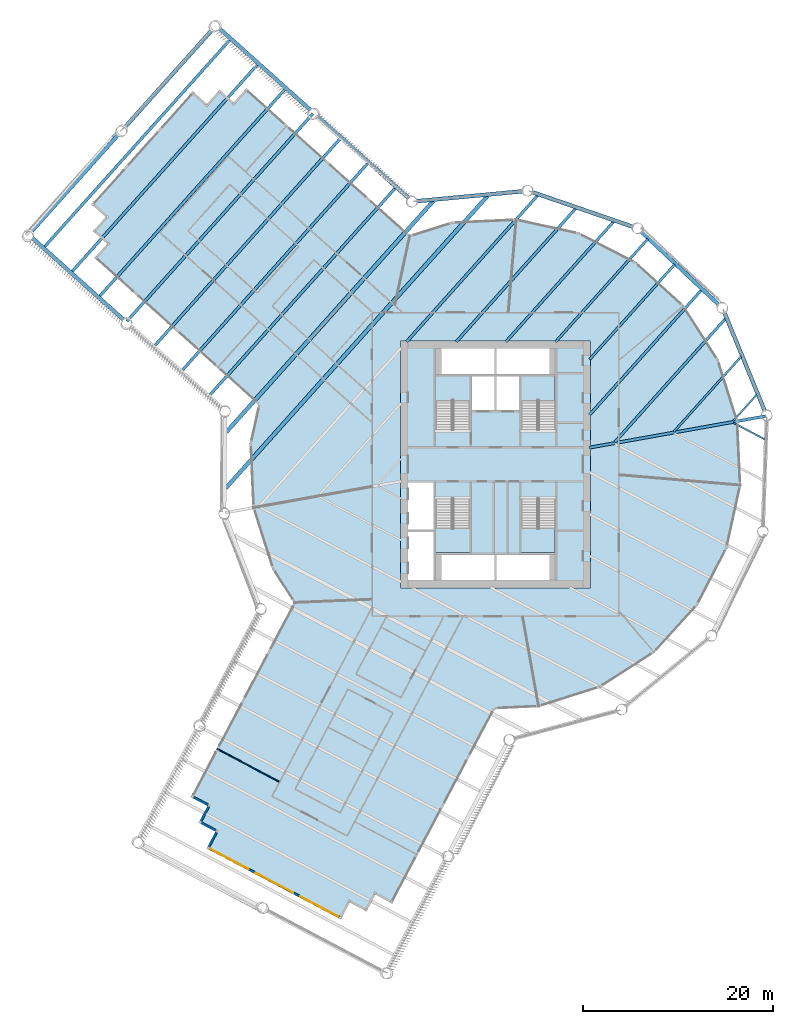
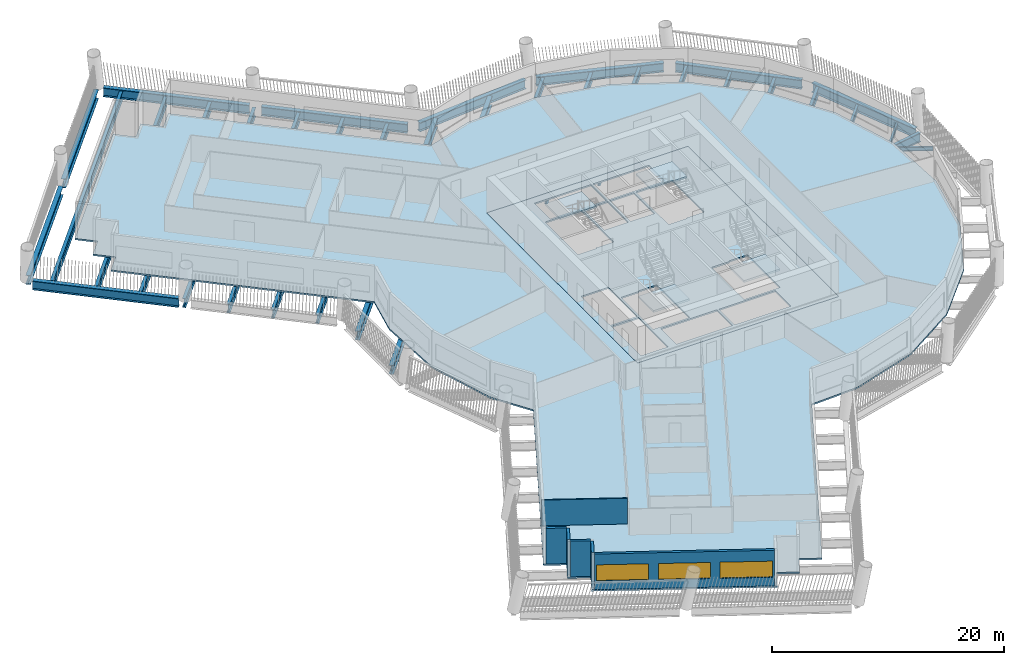
# One storey, part 2 of 16: 29 beams, 6 slabs, 6 walls, 3 windows, 3 openings, 4 elements without a shape of their own.
"""IFC4 building model written with IfcOpenShell, lengths in metres."""

from ifc_helpers import new_model, si_unit, direction, frame, frame_2d, origin, origin_2d, place, context, subcontext, project, spatial, polyline, rectangle, i_section, outline, extrude, material, layer, layer_set, material_profile, profile_set, type_object, element, fill, aggregate, save


model = new_model("IFC4")

# Units and contexts
model_context = context("Model", 3, precision=1e-05, world=origin(), true_north=direction((0.0, 1.0)))
body_context = subcontext(model_context, "Body", "Model", "MODEL_VIEW")
ifc_project = project(units=[si_unit("LENGTHUNIT", "METRE"), si_unit("AREAUNIT", "SQUARE_METRE"), si_unit("VOLUMEUNIT", "CUBIC_METRE"), si_unit("PLANEANGLEUNIT", "RADIAN"), si_unit("MASSUNIT", "GRAM", prefix="KILO")], contexts=[model_context])

# Site, building, storey
site_placement = place(None, origin())
site = spatial("IfcSite", under=ifc_project, at=site_placement, CompositionType="ELEMENT")
building_placement = place(site_placement, origin())
building = spatial("IfcBuilding", under=site, at=building_placement, Name="Tarsis Ring Headquarters", CompositionType="ELEMENT")
storey_placement = place(building_placement, frame((0.0, 0.0, 96.699951171875)))
storey = spatial("IfcBuildingStorey", under=building, at=storey_placement, Name="L21", CompositionType="ELEMENT", Elevation=96.699951171875)

# Beams
ifc_material_1 = material(Name="Structural steel S355", Category="steel")
ifc_material_profile_1 = material_profile(ifc_material_1, i_section(OverallWidth=0.177734375, OverallDepth=0.406494140625, WebThickness=0.0078125, FlangeThickness=0.0126953125, at=origin_2d()), Name="W16x40")
ifc_profile_set_1 = profile_set([ifc_material_profile_1], Name="Structural steel S355")
beam_type_1 = type_object("IfcBeamType", Name="FB Floor beam W16x40", PredefinedType="JOIST", material=ifc_profile_set_1)
for number, where, z_axis, x_axis, name in (
    (1, (25.076904296875, 4.39013671875, -0.363037109375), (0.884098791189, -0.467300040037, 0.0), (0.467300040037, 0.884098791189, 0.0), "Floor beam FB1"),
    (2, (27.541015625, 7.360595703125, -0.363037109375), (-0.667355401038, -0.744739396504, 0.0), (0.744739396504, -0.667355401038, 0.0), "Floor beam FB1"),
):
    element("IfcBeam", number, at=place(storey_placement, frame(where, z_axis=z_axis, x_axis=x_axis)), inside=storey, type_object=beam_type_1, Name=name, PredefinedType="JOIST", context=body_context, shape_type="SweptSolid", body=[
        extrude(i_section(OverallWidth=0.177734375, OverallDepth=0.406494140625, WebThickness=0.0078125, FlangeThickness=0.0126953125, at=origin_2d()), origin(), (0.0, 0.0, 1.0), 3.74169921875),
    ])
ifc_material_profile_2 = material_profile(ifc_material_1, i_section(OverallWidth=0.228271484375, OverallDepth=0.607177734375, WebThickness=0.01123046875, FlangeThickness=0.017333984375, at=origin_2d()), Name="W24x76")
ifc_profile_set_2 = profile_set([ifc_material_profile_2], Name="Structural steel S355")
beam_type_2 = type_object("IfcBeamType", Name="FB Floor beam W24x76", PredefinedType="JOIST", material=ifc_profile_set_2)
beam_1_placement = place(storey_placement, frame((25.89599609375, 11.369140625, -0.463623046875), z_axis=(-0.667313408884, -0.744777023225, 0.0), x_axis=(0.744777023225, -0.667313408884, 0.0)))
element("IfcBeam", 3, at=beam_1_placement, inside=storey, type_object=beam_type_2, Name="Floor beam FB4", PredefinedType="JOIST", context=body_context, shape_type="SweptSolid", body=[
    extrude(i_section(OverallWidth=0.228271484375, OverallDepth=0.607177734375, WebThickness=0.01123046875, FlangeThickness=0.017333984375, at=origin_2d()), origin(), (0.0, 0.0, 1.0), 10.62109375),
])
ifc_material_profile_3 = material_profile(ifc_material_1, i_section(OverallWidth=0.2666015625, OverallDepth=0.7568359375, WebThickness=0.013916015625, FlangeThickness=0.019287109375, at=origin_2d()), Name="W30x108")
ifc_profile_set_3 = profile_set([ifc_material_profile_3], Name="Structural steel S355")
beam_type_3 = type_object("IfcBeamType", Name="FB Floor beam W30x108", PredefinedType="JOIST", material=ifc_profile_set_3)
beam_2_placement = place(storey_placement, frame((18.880126953125, 21.072021484375, -0.538330078125), z_axis=(-0.667304092507, -0.744785370508, 0.0), x_axis=(0.744785370508, -0.667304092507, 0.0)))
element("IfcBeam", 4, at=beam_2_placement, inside=storey, type_object=beam_type_3, Name="Floor beam FB6", PredefinedType="JOIST", context=body_context, shape_type="SweptSolid", body=[
    extrude(i_section(OverallWidth=0.2666015625, OverallDepth=0.7568359375, WebThickness=0.013916015625, FlangeThickness=0.019287109375, at=origin_2d()), origin(), (0.0, 0.0, 1.0), 13.4072265625),
])
beam_3_placement = place(storey_placement, frame((16.043212890625, 23.749755859375, -0.538330078125), z_axis=(-0.667316661146, -0.744774109215, 0.0), x_axis=(0.744774109215, -0.667316661146, 0.0)))
element("IfcBeam", 5, at=beam_3_placement, inside=storey, type_object=beam_type_3, Name="Floor beam FB6", PredefinedType="JOIST", context=body_context, shape_type="SweptSolid", body=[
    extrude(i_section(OverallWidth=0.2666015625, OverallDepth=0.7568359375, WebThickness=0.013916015625, FlangeThickness=0.019287109375, at=origin_2d()), origin(), (0.0, 0.0, 1.0), 14.533447265625),
])
ifc_material_profile_4 = material_profile(ifc_material_1, i_section(OverallWidth=0.2919921875, OverallDepth=0.835693359375, WebThickness=0.013916015625, FlangeThickness=0.018798828125, at=origin_2d()), Name="W33x118")
ifc_profile_set_4 = profile_set([ifc_material_profile_4], Name="Structural steel S355")
beam_type_4 = type_object("IfcBeamType", Name="FB Floor beam W33x118", PredefinedType="JOIST", material=ifc_profile_set_4)
beam_4_placement = place(storey_placement, frame((24.2509765625, 15.377685546875, -0.577880859375), z_axis=(-0.667312168672, -0.744778134442, 0.0), x_axis=(0.744778134442, -0.667312168672, 0.0)))
element("IfcBeam", 6, at=beam_4_placement, inside=storey, type_object=beam_type_4, Name="Floor beam FB7", PredefinedType="JOIST", context=body_context, shape_type="SweptSolid", body=[
    extrude(i_section(OverallWidth=0.2919921875, OverallDepth=0.835693359375, WebThickness=0.013916015625, FlangeThickness=0.018798828125, at=origin_2d()), origin(), (0.0, 0.0, 1.0), 17.500732421875),
])
beam_5_placement = place(storey_placement, frame((21.71728515625, 18.39404296875, -0.577880859375), z_axis=(-0.667306323952, -0.744783371198, 0.0), x_axis=(0.744783371198, -0.667306323952, 0.0)))
element("IfcBeam", 7, at=beam_5_placement, inside=storey, type_object=beam_type_4, Name="Floor beam FB7", PredefinedType="JOIST", context=body_context, shape_type="SweptSolid", body=[
    extrude(i_section(OverallWidth=0.2919921875, OverallDepth=0.835693359375, WebThickness=0.013916015625, FlangeThickness=0.018798828125, at=origin_2d()), origin(), (0.0, 0.0, 1.0), 17.658935546875),
])
beam_6_placement = place(storey_placement, frame((12.47314453125, 25.60986328125, -0.577880859375), z_axis=(-0.667311775918, -0.744778486344, 0.0), x_axis=(0.744778486344, -0.667311775918, 0.0)))
element("IfcBeam", 8, at=beam_6_placement, inside=storey, type_object=beam_type_4, Name="Floor beam FB7", PredefinedType="JOIST", context=body_context, shape_type="SweptSolid", body=[
    extrude(i_section(OverallWidth=0.2919921875, OverallDepth=0.835693359375, WebThickness=0.013916015625, FlangeThickness=0.018798828125, at=origin_2d()), origin(), (0.0, 0.0, 1.0), 17.031005859375),
])
ifc_material_profile_5 = material_profile(ifc_material_1, i_section(OverallWidth=0.3046875, OverallDepth=0.904296875, WebThickness=0.01513671875, FlangeThickness=0.02001953125, at=origin_2d()), Name="W36x135")
ifc_profile_set_5 = profile_set([ifc_material_profile_5], Name="Structural steel S355")
beam_type_5 = type_object("IfcBeamType", Name="FB Floor beam W36x135", PredefinedType="JOIST", material=ifc_profile_set_5)
beam_7_placement = place(storey_placement, frame((8.471435546875, 26.988037109375, -0.612060546875), z_axis=(-0.667305707242, -0.744783923754, 0.0), x_axis=(0.744783923754, -0.667305707242, 0.0)))
element("IfcBeam", 9, at=beam_7_placement, inside=storey, type_object=beam_type_5, Name="Floor beam FB8", PredefinedType="JOIST", context=body_context, shape_type="SweptSolid", body=[
    extrude(i_section(OverallWidth=0.3046875, OverallDepth=0.904296875, WebThickness=0.01513671875, FlangeThickness=0.02001953125, at=origin_2d()), origin(), (0.0, 0.0, 1.0), 18.88134765625),
])
beam_8_placement = place(storey_placement, frame((4.469970703125, 28.3662109375, -0.612060546875), z_axis=(-0.667313786282, -0.74477668508, 0.0), x_axis=(0.74477668508, -0.667313786282, 0.0)))
element("IfcBeam", 10, at=beam_8_placement, inside=storey, type_object=beam_type_5, Name="Floor beam FB8", PredefinedType="JOIST", context=body_context, shape_type="SweptSolid", body=[
    extrude(i_section(OverallWidth=0.3046875, OverallDepth=0.904296875, WebThickness=0.01513671875, FlangeThickness=0.02001953125, at=origin_2d()), origin(), (0.0, 0.0, 1.0), 20.73193359375),
])
ifc_material_profile_6 = material_profile(ifc_material_1, i_section(OverallWidth=0.309814453125, OverallDepth=0.949951171875, WebThickness=0.0244140625, FlangeThickness=0.0439453125, at=origin_2d()), Name="W36x256")
ifc_profile_set_6 = profile_set([ifc_material_profile_6], Name="Structural steel S355")
beam_type_6 = type_object("IfcBeamType", Name="FB Floor beam W36x256", PredefinedType="JOIST", material=ifc_profile_set_6)
beam_9_placement = place(storey_placement, frame((-10.531005859375, 29.15673828125, -0.635009765625), z_axis=(-0.667311909104, -0.744778367011, 0.0), x_axis=(0.744778367011, -0.667311909104, 0.0)))
element("IfcBeam", 11, at=beam_9_placement, inside=storey, type_object=beam_type_6, Name="Floor beam FB11", PredefinedType="JOIST", context=body_context, shape_type="SweptSolid", body=[
    extrude(i_section(OverallWidth=0.309814453125, OverallDepth=0.949951171875, WebThickness=0.0244140625, FlangeThickness=0.0439453125, at=origin_2d()), origin(), (0.0, 0.0, 1.0), 29.375732421875),
])
beam_10_placement = place(storey_placement, frame((-13.435546875, 31.75927734375, -0.635009765625), z_axis=(-0.667316519112, -0.744774236477, 0.0), x_axis=(0.744774236477, -0.667316519112, 0.0)))
element("IfcBeam", 12, at=beam_10_placement, inside=storey, type_object=beam_type_6, Name="Floor beam FB11", PredefinedType="JOIST", context=body_context, shape_type="SweptSolid", body=[
    extrude(i_section(OverallWidth=0.309814453125, OverallDepth=0.949951171875, WebThickness=0.0244140625, FlangeThickness=0.0439453125, at=origin_2d()), origin(), (0.0, 0.0, 1.0), 29.3759765625),
])
for number, where, z_axis, x_axis, name in (
    (13, (-16.34033203125, 34.36181640625, -0.635009765625), (-0.667311909104, -0.744778367011, 0.0), (0.744778367011, -0.667311909104, 0.0), "Floor beam FB11"),
    (14, (-19.244873046875, 36.96435546875, -0.635009765625), (-0.667311909104, -0.744778367011, 0.0), (0.744778367011, -0.667311909104, 0.0), "Floor beam FB11"),
):
    element("IfcBeam", number, at=place(storey_placement, frame(where, z_axis=z_axis, x_axis=x_axis)), inside=storey, type_object=beam_type_6, Name=name, PredefinedType="JOIST", context=body_context, shape_type="SweptSolid", body=[
        extrude(i_section(OverallWidth=0.309814453125, OverallDepth=0.949951171875, WebThickness=0.0244140625, FlangeThickness=0.0439453125, at=origin_2d()), origin(), (0.0, 0.0, 1.0), 29.375732421875),
    ])
beam_11_placement = place(storey_placement, frame((-22.1494140625, 39.56689453125, -0.635009765625), z_axis=(-0.667316519112, -0.744774236477, 0.0), x_axis=(0.744774236477, -0.667316519112, 0.0)))
element("IfcBeam", 15, at=beam_11_placement, inside=storey, type_object=beam_type_6, Name="Floor beam FB11", PredefinedType="JOIST", context=body_context, shape_type="SweptSolid", body=[
    extrude(i_section(OverallWidth=0.309814453125, OverallDepth=0.949951171875, WebThickness=0.0244140625, FlangeThickness=0.0439453125, at=origin_2d()), origin(), (0.0, 0.0, 1.0), 29.3759765625),
])
beam_12_placement = place(storey_placement, frame((-25.05419921875, 42.16943359375, -0.635009765625), z_axis=(-0.667311909104, -0.744778367011, 0.0), x_axis=(0.744778367011, -0.667311909104, 0.0)))
element("IfcBeam", 16, at=beam_12_placement, inside=storey, type_object=beam_type_6, Name="Floor beam FB11", PredefinedType="JOIST", context=body_context, shape_type="SweptSolid", body=[
    extrude(i_section(OverallWidth=0.309814453125, OverallDepth=0.949951171875, WebThickness=0.0244140625, FlangeThickness=0.0439453125, at=origin_2d()), origin(), (0.0, 0.0, 1.0), 29.375732421875),
])
beam_13_placement = place(storey_placement, frame((-27.958740234375, 44.77197265625, -0.635009765625), z_axis=(-0.667316519112, -0.744774236477, 0.0), x_axis=(0.744774236477, -0.667316519112, 0.0)))
element("IfcBeam", 17, at=beam_13_placement, inside=storey, type_object=beam_type_6, Name="Floor beam FB11", PredefinedType="JOIST", context=body_context, shape_type="SweptSolid", body=[
    extrude(i_section(OverallWidth=0.309814453125, OverallDepth=0.949951171875, WebThickness=0.0244140625, FlangeThickness=0.0439453125, at=origin_2d()), origin(), (0.0, 0.0, 1.0), 29.3759765625),
])
beam_type_7 = type_object("IfcBeamType", Name="FB Floor beam W36x256 spine", PredefinedType="BEAM", material=ifc_profile_set_6)
beam_14_placement = place(storey_placement, frame((28.479736328125, 5.093505859375, -0.635009765625), z_axis=(-0.984379568438, -0.176059266275, 0.0), x_axis=(0.176059266275, -0.984379568438, 0.0)))
element("IfcBeam", 18, at=beam_14_placement, inside=storey, type_object=beam_type_7, Name="Floor beam SB11", PredefinedType="BEAM", context=body_context, shape_type="SweptSolid", body=[
    extrude(i_section(OverallWidth=0.309814453125, OverallDepth=0.949951171875, WebThickness=0.0244140625, FlangeThickness=0.0439453125, at=origin_2d()), origin(), (0.0, 0.0, 1.0), 18.873046875),
])
ifc_material_profile_7 = material_profile(ifc_material_1, i_section(OverallWidth=0.42431640625, OverallDepth=0.947509765625, WebThickness=0.02392578125, FlangeThickness=0.042724609375, at=origin_2d()), Name="W36x302")
ifc_profile_set_7 = profile_set([ifc_material_profile_7], Name="Structural steel S355")
beam_type_8 = type_object("IfcBeamType", Name="FB Floor beam W36x302", PredefinedType="JOIST", material=ifc_profile_set_7)
beam_15_placement = place(storey_placement, frame((-0.828369140625, 28.297119140625, -0.633544921875), z_axis=(-0.667313279412, -0.744777139231, 0.0), x_axis=(0.744777139231, -0.667313279412, 0.0)))
element("IfcBeam", 19, at=beam_15_placement, inside=storey, type_object=beam_type_8, Name="Floor beam FB12", PredefinedType="JOIST", context=body_context, shape_type="SweptSolid", body=[
    extrude(i_section(OverallWidth=0.42431640625, OverallDepth=0.947509765625, WebThickness=0.02392578125, FlangeThickness=0.042724609375, at=origin_2d()), origin(), (0.0, 0.0, 1.0), 41.35302734375),
])
beam_16_placement = place(storey_placement, frame((-6.54345703125, 27.762939453125, -0.633544921875), z_axis=(-0.667312942803, -0.744777440829, 0.0), x_axis=(0.744777440829, -0.667312942803, 0.0)))
element("IfcBeam", 20, at=beam_16_placement, inside=storey, type_object=beam_type_8, Name="Floor beam FB12", PredefinedType="JOIST", context=body_context, shape_type="SweptSolid", body=[
    extrude(i_section(OverallWidth=0.42431640625, OverallDepth=0.947509765625, WebThickness=0.02392578125, FlangeThickness=0.042724609375, at=origin_2d()), origin(), (0.0, 0.0, 1.0), 32.70458984375),
])
beam_type_9 = type_object("IfcBeamType", Name="XG Ring girder W36x302", PredefinedType="BEAM", material=ifc_profile_set_7)
for number, where, z_axis, x_axis, name in (
    (21, (28.395263671875, 5.6005859375, -0.4736328125), (-0.3796463178, 0.925131705965, 0.0), (-0.925131705965, -0.3796463178, 0.0), "Ring girder XG1"),
    (22, (23.562255859375, 16.806884765625, -0.4736328125), (-0.727220521789, 0.686403899092, 0.0), (-0.686403899092, -0.727220521789, 0.0), "Ring girder XG1"),
    (23, (14.5400390625, 25.02490234375, -0.4736328125), (-0.945503586925, 0.325611681474, 0.0), (-0.325611681474, -0.945503586925, 0.0), "Ring girder XG1"),
    (24, (2.932373046875, 28.793212890625, -0.4736328125), (-0.99566273736, -0.093036086725, 0.0), (0.093036086725, -0.99566273736, 0.0), "Ring girder XG1"),
):
    element("IfcBeam", number, at=place(storey_placement, frame(where, z_axis=z_axis, x_axis=x_axis)), inside=storey, type_object=beam_type_9, Name=name, PredefinedType="BEAM", context=body_context, shape_type="SweptSolid", body=[
        extrude(i_section(OverallWidth=0.42431640625, OverallDepth=0.947509765625, WebThickness=0.02392578125, FlangeThickness=0.042724609375, at=origin_2d()), origin(), (0.0, 0.0, 1.0), 11.197265625),
    ])
beam_17_placement = place(storey_placement, frame((-9.13134765625, 28.053466796875, -0.4736328125), z_axis=(-0.744782026167, 0.667307825144, 0.0), x_axis=(-0.667307825144, -0.744782026167, 0.0)))
element("IfcBeam", 25, at=beam_17_placement, inside=storey, type_object=beam_type_9, Name="Ring girder XG1", PredefinedType="BEAM", context=body_context, shape_type="SweptSolid", body=[
    extrude(i_section(OverallWidth=0.42431640625, OverallDepth=0.947509765625, WebThickness=0.02392578125, FlangeThickness=0.042724609375, at=origin_2d()), origin(), (0.0, 0.0, 1.0), 12.850830078125),
])
beam_18_placement = place(storey_placement, frame((-19.485595703125, 37.33056640625, -0.4736328125), z_axis=(-0.744773566144, 0.667317267252, 0.0), x_axis=(-0.667317267252, -0.744773566144, 0.0)))
element("IfcBeam", 26, at=beam_18_placement, inside=storey, type_object=beam_type_9, Name="Ring girder XG1", PredefinedType="BEAM", context=body_context, shape_type="SweptSolid", body=[
    extrude(i_section(OverallWidth=0.42431640625, OverallDepth=0.947509765625, WebThickness=0.02392578125, FlangeThickness=0.042724609375, at=origin_2d()), origin(), (0.0, 0.0, 1.0), 12.8505859375),
])
for number, where, z_axis, x_axis, name in (
    (27, (-29.798828125, 45.865234375, -0.4736328125), (-0.66731584335, -0.744774841958, 0.0), (0.744774841958, -0.66731584335, 0.0), "Ring girder XG1"),
    (28, (-39.675048828125, 34.842529296875, -0.4736328125), (-0.66731584335, -0.744774841958, 0.0), (0.744774841958, -0.66731584335, 0.0), "Ring girder XG1"),
):
    element("IfcBeam", number, at=place(storey_placement, frame(where, z_axis=z_axis, x_axis=x_axis)), inside=storey, type_object=beam_type_9, Name=name, PredefinedType="BEAM", context=body_context, shape_type="SweptSolid", body=[
        extrude(i_section(OverallWidth=0.42431640625, OverallDepth=0.947509765625, WebThickness=0.02392578125, FlangeThickness=0.042724609375, at=origin_2d()), origin(), (0.0, 0.0, 1.0), 13.74853515625),
    ])
beam_19_placement = place(storey_placement, frame((-48.808837890625, 23.860595703125, -0.4736328125), z_axis=(0.744773566144, -0.667317267252, 0.0), x_axis=(0.667317267252, 0.744773566144, 0.0)))
element("IfcBeam", 29, at=beam_19_placement, inside=storey, type_object=beam_type_9, Name="Ring girder XG1", PredefinedType="BEAM", context=body_context, shape_type="SweptSolid", body=[
    extrude(i_section(OverallWidth=0.42431640625, OverallDepth=0.947509765625, WebThickness=0.02392578125, FlangeThickness=0.042724609375, at=origin_2d()), origin(), (0.0, 0.0, 1.0), 12.8505859375),
])

# Slab
ifc_material_2 = material(Name="Concrete C40/50", Category="concrete")
ifc_layer_1 = layer(ifc_material_2, 0.159912109375)
ifc_layer_set_1 = layer_set([ifc_layer_1], Name="Core floor slab 160 C40/50")
slab_type_1 = type_object("IfcSlabType", Name="Core floor slab 160 C40/50", PredefinedType="FLOOR", material=ifc_layer_set_1)
slab_1_placement = place(storey_placement, frame((0.0, 0.0, -0.159912109375)))
element("IfcSlab", 30, at=slab_1_placement, inside=storey, type_object=slab_type_1, Name="L21 core floor slab", PredefinedType="FLOOR", context=body_context, shape_type="SweptSolid", body=[
    extrude(outline(polyline([(-10.0, -13.0), (10.0, -13.0), (10.0, 13.0), (-10.0, 13.0), (-10.0, -13.0)]), holes=[polyline([(-2.5, 5.699951171875), (-0.10009765625, 5.699951171875), (-0.10009765625, 9.300048828125), (-2.5, 9.300048828125), (-2.5, 5.699951171875)]), polyline([(0.10009765625, 5.699951171875), (2.5, 5.699951171875), (2.5, 9.300048828125), (0.10009765625, 9.300048828125), (0.10009765625, 5.699951171875)]), polyline([(-9.199951171875, -12.199951171875), (-6.5, -12.199951171875), (-6.5, -7.10009765625), (-9.199951171875, -7.10009765625), (-9.199951171875, -12.199951171875)]), polyline([(-9.199951171875, -6.89990234375), (-6.5, -6.89990234375), (-6.5, -1.89990234375), (-9.199951171875, -1.89990234375), (-9.199951171875, -6.89990234375)]), polyline([(-5.699951171875, 9.5), (-0.10009765625, 9.5), (-0.10009765625, 12.199951171875), (-5.699951171875, 12.199951171875), (-5.699951171875, 9.5)]), polyline([(0.10009765625, 9.5), (5.699951171875, 9.5), (5.699951171875, 12.199951171875), (0.10009765625, 12.199951171875), (0.10009765625, 9.5)]), polyline([(-5.699951171875, -12.199951171875), (-0.10009765625, -12.199951171875), (-0.10009765625, -9.5), (-5.699951171875, -9.5), (-5.699951171875, -12.199951171875)]), polyline([(0.10009765625, -12.199951171875), (5.699951171875, -12.199951171875), (5.699951171875, -9.5), (0.10009765625, -9.5), (0.10009765625, -12.199951171875)]), polyline([(-2.699951171875, 3.760009765625), (-2.699951171875, 9.300048828125), (-6.300048828125, 9.300048828125), (-6.300048828125, 3.659912109375), (-4.4599609375, 3.659912109375), (-4.4599609375, 3.760009765625), (-2.699951171875, 3.760009765625)]), polyline([(6.300048828125, 3.760009765625), (6.300048828125, 9.300048828125), (2.699951171875, 9.300048828125), (2.699951171875, 3.659912109375), (4.5400390625, 3.659912109375), (4.5400390625, 3.760009765625), (6.300048828125, 3.760009765625)]), polyline([(-6.300048828125, -3.760009765625), (-6.300048828125, -9.300048828125), (-2.699951171875, -9.300048828125), (-2.699951171875, -3.659912109375), (-4.5400390625, -3.659912109375), (-4.5400390625, -3.760009765625), (-6.300048828125, -3.760009765625)]), polyline([(2.699951171875, -3.760009765625), (2.699951171875, -9.300048828125), (6.300048828125, -9.300048828125), (6.300048828125, -3.659912109375), (4.4599609375, -3.659912109375), (4.4599609375, -3.760009765625), (2.699951171875, -3.760009765625)])]), origin(), (0.0, 0.0, 1.0), 0.159912109375),
])

# Stair, slab
ifc_material_3 = material(Name="Core stair 1760")
stair_type = type_object("IfcStairType", Name="Core stair 1760", PredefinedType="HALF_TURN_STAIR", material=ifc_material_3)
stair_1_placement = place(storey_placement, origin())
stair_1 = element("IfcStair", 31, at=stair_1_placement, inside=storey, type_object=stair_type, Name="L21 Firefighting stair", PredefinedType="HALF_TURN_STAIR")
ifc_layer_2 = layer(ifc_material_2, 0.199951171875)
ifc_layer_set_2 = layer_set([ifc_layer_2], Name="Core stair landing 200")
slab_type_2 = type_object("IfcSlabType", Name="Core stair landing 200", PredefinedType="LANDING", material=ifc_layer_set_2)
slab_2_placement = place(storey_placement, frame((0.0, 0.0, 1.75)))
slab_2 = element("IfcSlab", 32, at=slab_2_placement, type_object=slab_type_2, Name="Stair ST1 landing 1", PredefinedType="LANDING", context=body_context, shape_type="SweptSolid", body=[
    extrude(outline(polyline([(-2.699951171875, 6.739990234375), (-2.699951171875, 9.300048828125), (-6.300048828125, 9.300048828125), (-6.300048828125, 6.739990234375), (-2.699951171875, 6.739990234375)])), origin(), (0.0, 0.0, 1.0), 0.199951171875),
])
aggregate(stair_1, [slab_2])

stair_2_placement = place(storey_placement, origin())
stair_2 = element("IfcStair", 33, at=stair_2_placement, inside=storey, type_object=stair_type, Name="L21 Exit stair B", PredefinedType="HALF_TURN_STAIR")
slab_3_placement = place(storey_placement, frame((0.0, 0.0, 1.75)))
slab_3 = element("IfcSlab", 34, at=slab_3_placement, type_object=slab_type_2, Name="Stair ST2 landing 1", PredefinedType="LANDING", context=body_context, shape_type="SweptSolid", body=[
    extrude(outline(polyline([(6.300048828125, 6.739990234375), (6.300048828125, 9.300048828125), (2.699951171875, 9.300048828125), (2.699951171875, 6.739990234375), (6.300048828125, 6.739990234375)])), origin(), (0.0, 0.0, 1.0), 0.199951171875),
])
aggregate(stair_2, [slab_3])

stair_3_placement = place(storey_placement, origin())
stair_3 = element("IfcStair", 35, at=stair_3_placement, inside=storey, type_object=stair_type, Name="L21 Exit stair C", PredefinedType="HALF_TURN_STAIR")
slab_4_placement = place(storey_placement, frame((0.0, 0.0, 1.75)))
slab_4 = element("IfcSlab", 36, at=slab_4_placement, type_object=slab_type_2, Name="Stair ST3 landing 1", PredefinedType="LANDING", context=body_context, shape_type="SweptSolid", body=[
    extrude(outline(polyline([(-6.300048828125, -6.739990234375), (-6.300048828125, -9.300048828125), (-2.699951171875, -9.300048828125), (-2.699951171875, -6.739990234375), (-6.300048828125, -6.739990234375)])), origin(), (0.0, 0.0, 1.0), 0.199951171875),
])
aggregate(stair_3, [slab_4])

stair_4_placement = place(storey_placement, origin())
stair_4 = element("IfcStair", 37, at=stair_4_placement, inside=storey, type_object=stair_type, Name="L21 Exit stair D", PredefinedType="HALF_TURN_STAIR")
slab_5_placement = place(storey_placement, frame((0.0, 0.0, 1.75)))
slab_5 = element("IfcSlab", 38, at=slab_5_placement, type_object=slab_type_2, Name="Stair ST4 landing 1", PredefinedType="LANDING", context=body_context, shape_type="SweptSolid", body=[
    extrude(outline(polyline([(2.699951171875, -6.739990234375), (2.699951171875, -9.300048828125), (6.300048828125, -9.300048828125), (6.300048828125, -6.739990234375), (2.699951171875, -6.739990234375)])), origin(), (0.0, 0.0, 1.0), 0.199951171875),
])
aggregate(stair_4, [slab_5])

# Slab
ifc_material_4 = material(Name="Concrete C35/45", Category="concrete")
ifc_layer_3 = layer(ifc_material_4, 0.159912109375)
ifc_layer_set_3 = layer_set([ifc_layer_3], Name="FS Composite floor slab 160")
slab_type_3 = type_object("IfcSlabType", Name="FS Composite floor slab 160", PredefinedType="FLOOR", material=ifc_layer_set_3)
slab_6_placement = place(storey_placement, frame((0.0, 0.0, -0.159912109375)))
element("IfcSlab", 39, at=slab_6_placement, inside=storey, type_object=slab_type_3, Name="Floor slab L21", PredefinedType="FLOOR", context=body_context, shape_type="SweptSolid", body=[
    extrude(outline(polyline([(-25.009521484375, 6.296142578125), (-25.906494140625, 2.20263671875), (-25.593994140625, -4.577392578125), (-23.537109375, -11.045654296875), (-21.27685546875, -14.57421875), (-32.10546875, -35.060546875), (-30.33740234375, -35.9951171875), (-31.27197265625, -37.76318359375), (-29.503662109375, -38.697998046875), (-30.4384765625, -40.466064453125), (-16.29296875, -47.943115234375), (-15.358154296875, -46.1748046875), (-13.590087890625, -47.109619140625), (-12.655517578125, -45.34130859375), (-10.88720703125, -46.27587890625), (-0.068359375, -25.80810546875), (4.577392578125, -25.593994140625), (11.045654296875, -23.537109375), (16.760986328125, -19.876220703125), (21.334228515625, -14.86083984375), (24.45361328125, -8.832763671875), (25.906494140625, -2.20263671875), (25.593994140625, 4.577392578125), (23.537109375, 11.045654296875), (19.876220703125, 16.760986328125), (14.86083984375, 21.334228515625), (8.832763671875, 24.45361328125), (2.20263671875, 25.906494140625), (-4.577392578125, 25.593994140625), (-9.009521484375, 24.1845703125), (-26.251953125, 39.6337890625), (-27.586669921875, 38.14404296875), (-29.076171875, 39.478759765625), (-30.410888671875, 37.9892578125), (-31.900390625, 39.323974609375), (-42.577392578125, 27.407470703125), (-41.087890625, 26.07275390625), (-42.42236328125, 24.583251953125), (-40.932861328125, 23.24853515625), (-42.267578125, 21.759033203125), (-25.009521484375, 6.296142578125)]), holes=[polyline([(-10.0, -13.0), (-10.0, 13.0), (10.0, 13.0), (10.0, -13.0), (-10.0, -13.0)])]), origin(), (0.0, 0.0, 1.0), 0.159912109375),
])

# Walls
ifc_material_5 = material(Name="Gypsum board on steel studs", Category="steel")
ifc_layer_4 = layer(ifc_material_5, 0.10009765625)
ifc_layer_set_4 = layer_set([ifc_layer_4], Name="FL partition 100 unrated")
wall_type_1 = type_object("IfcWallType", Name="FL partition 100 unrated", PredefinedType="PARTITIONING", material=ifc_layer_set_4)
wall_1_placement = place(storey_placement, frame((-29.35546875, -29.965087890625, 0.0), z_axis=(0.0, 0.0, 1.0), x_axis=(0.884097079365, -0.467303278673, 0.0)))
element("IfcWall", 40, at=wall_1_placement, inside=storey, type_object=wall_type_1, Name="Partition PW3", PredefinedType="PARTITIONING", context=body_context, shape_type="SweptSolid", body=[
    extrude(rectangle(XDim=7.409912109375, YDim=0.10009765625, at=frame_2d((3.705078125, 0.0))), origin(), (0.0, 0.0, 1.0), 2.699951171875),
])
ifc_material_6 = material(Name="Terracotta clad insulated panel wall", Category="masonry")
ifc_layer_5 = layer(ifc_material_6, 0.25)
ifc_layer_set_5 = layer_set([ifc_layer_5], Name="Facade wall terracotta panel 250")
wall_type_2 = type_object("IfcWallType", Name="Facade wall terracotta panel 250", PredefinedType="STANDARD", material=ifc_layer_set_5)
for number, where, z_axis, x_axis, name in (
    (41, (-31.826171875, -35.06689453125, 0.0), (0.0, 0.0, 1.0), (0.884157506446, -0.467188938007, 0.0), "External wall L21-07"),
    (42, (-30.226806640625, -36.053466796875, 0.0), (0.0, 0.0, 1.0), (-0.467355615656, -0.884069413855, 0.0), "External wall L21-08"),
    (43, (-30.992431640625, -37.76953125, 0.0), (0.0, 0.0, 1.0), (0.884069413855, -0.467355615656, 0.0), "External wall L21-09"),
    (44, (-29.393310546875, -38.75634765625, 0.0), (0.0, 0.0, 1.0), (-0.467246567617, -0.88412705255, 0.0), "External wall L21-10"),
):
    element("IfcWall", number, at=place(storey_placement, frame(where, z_axis=z_axis, x_axis=x_axis)), inside=storey, type_object=wall_type_2, Name=name, PredefinedType="STANDARD", context=body_context, shape_type="SweptSolid", body=[
        extrude(rectangle(XDim=1.75, YDim=0.25, at=frame_2d((0.875, 0.0))), origin(), (0.0, 0.0, 1.0), 3.739990234375),
    ])

# Wall, openings, windows
wall_2_placement = place(storey_placement, frame((-30.158935546875, -40.472412109375, 0.0), z_axis=(0.0, 0.0, 1.0), x_axis=(0.884089641319, -0.467317350537, 0.0)))
wall_2 = element("IfcWall", 45, at=wall_2_placement, inside=storey, type_object=wall_type_2, Name="External wall L21-11", PredefinedType="STANDARD", context=body_context, shape_type="SweptSolid", body=[
    extrude(rectangle(XDim=15.5, YDim=0.25, at=frame_2d((7.75, 0.0))), origin(), (0.0, 0.0, 1.0), 3.739990234375),
])
opening_1_placement = place(wall_2_placement, frame((0.166748046875, 0.0, 0.89990234375)))
opening_1 = element("IfcOpeningElement", 46, at=opening_1_placement, cuts=wall_2, Name="Opening WN04", PredefinedType="OPENING", context=body_context, shape_type="SweptSolid", body=[
    extrude(rectangle(XDim=4.5, YDim=1.699951171875, at=frame_2d((2.25, 0.85009765625))), frame((0.0, 0.135009765625, 0.0), z_axis=(0.0, -1.0, 0.0), x_axis=(1.0, 0.0, 0.0)), (0.0, 0.0, 1.0), 0.27001953125),
])
opening_2_placement = place(wall_2_placement, frame((5.5, 0.0, 0.89990234375)))
opening_2 = element("IfcOpeningElement", 47, at=opening_2_placement, cuts=wall_2, Name="Opening WN04", PredefinedType="OPENING", context=body_context, shape_type="SweptSolid", body=[
    extrude(rectangle(XDim=4.5, YDim=1.699951171875, at=frame_2d((2.25, 0.85009765625))), frame((0.0, 0.135009765625, 0.0), z_axis=(0.0, -1.0, 0.0), x_axis=(1.0, 0.0, 0.0)), (0.0, 0.0, 1.0), 0.27001953125),
])
opening_3_placement = place(wall_2_placement, frame((10.833251953125, 0.0, 0.89990234375)))
opening_3 = element("IfcOpeningElement", 48, at=opening_3_placement, cuts=wall_2, Name="Opening WN04", PredefinedType="OPENING", context=body_context, shape_type="SweptSolid", body=[
    extrude(rectangle(XDim=4.5, YDim=1.699951171875, at=frame_2d((2.25, 0.85009765625))), frame((0.0, 0.135009765625, 0.0), z_axis=(0.0, -1.0, 0.0), x_axis=(1.0, 0.0, 0.0)), (0.0, 0.0, 1.0), 0.27001953125),
])
ifc_material_7 = material(Name="Aluminium framed double glazing", Category="aluminium")
window_type = type_object("IfcWindowType", Name="Facade window 4500 x 1700", PartitioningType="SINGLE_PANEL", PredefinedType="WINDOW", material=ifc_material_7)
window_1_placement = place(opening_1_placement, origin())
window_1 = element("IfcWindow", 49, at=window_1_placement, inside=storey, type_object=window_type, Name="Window L21-11.1", OverallHeight=1.699951171875, OverallWidth=4.5, PartitioningType="SINGLE_PANEL", PredefinedType="WINDOW", context=body_context, shape_type="SweptSolid", body=[
    extrude(rectangle(XDim=4.5, YDim=1.699951171875, at=frame_2d((2.25, 0.85009765625))), frame((0.0, 0.030029296875, 0.0), z_axis=(0.0, -1.0, 0.0), x_axis=(1.0, 0.0, 0.0)), (0.0, 0.0, 1.0), 0.06005859375),
])
fill(opening_1, window_1)
window_2_placement = place(opening_2_placement, origin())
window_2 = element("IfcWindow", 50, at=window_2_placement, inside=storey, type_object=window_type, Name="Window L21-11.2", OverallHeight=1.699951171875, OverallWidth=4.5, PartitioningType="SINGLE_PANEL", PredefinedType="WINDOW", context=body_context, shape_type="SweptSolid", body=[
    extrude(rectangle(XDim=4.5, YDim=1.699951171875, at=frame_2d((2.25, 0.85009765625))), frame((0.0, 0.030029296875, 0.0), z_axis=(0.0, -1.0, 0.0), x_axis=(1.0, 0.0, 0.0)), (0.0, 0.0, 1.0), 0.06005859375),
])
fill(opening_2, window_2)
window_3_placement = place(opening_3_placement, origin())
window_3 = element("IfcWindow", 51, at=window_3_placement, inside=storey, type_object=window_type, Name="Window L21-11.3", OverallHeight=1.699951171875, OverallWidth=4.5, PartitioningType="SINGLE_PANEL", PredefinedType="WINDOW", context=body_context, shape_type="SweptSolid", body=[
    extrude(rectangle(XDim=4.5, YDim=1.699951171875, at=frame_2d((2.25, 0.85009765625))), frame((0.0, 0.030029296875, 0.0), z_axis=(0.0, -1.0, 0.0), x_axis=(1.0, 0.0, 0.0)), (0.0, 0.0, 1.0), 0.06005859375),
])
fill(opening_3, window_3)

save(model, "model.ifc")
